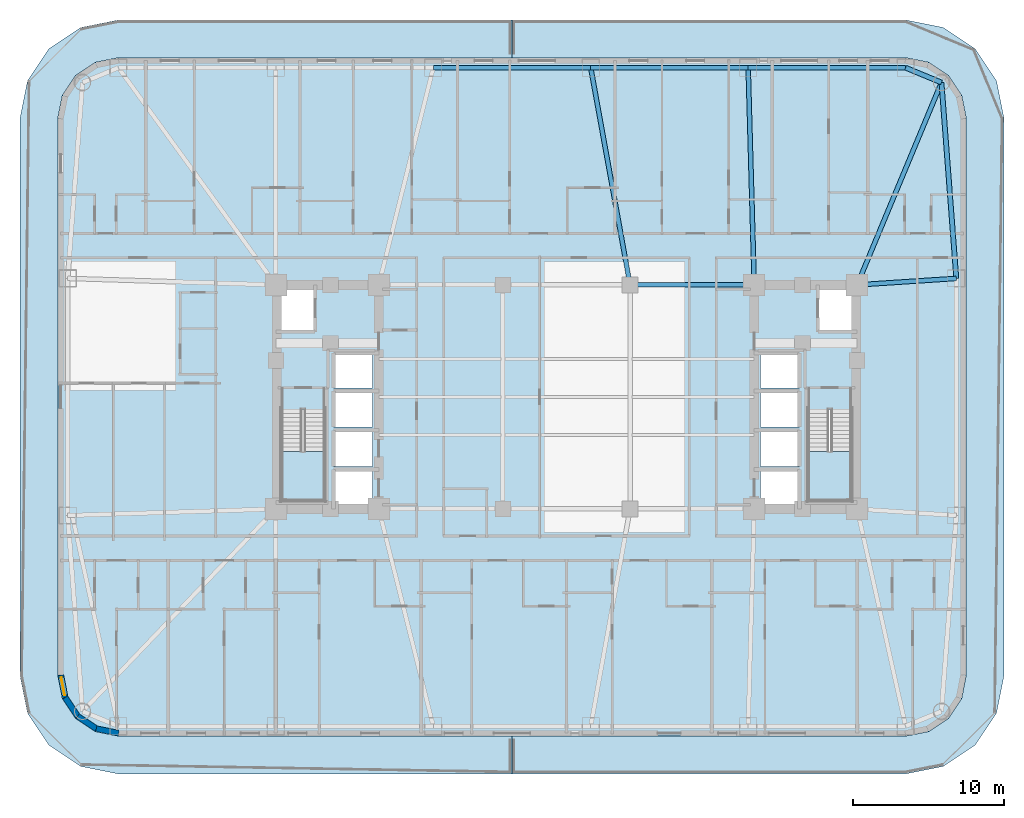
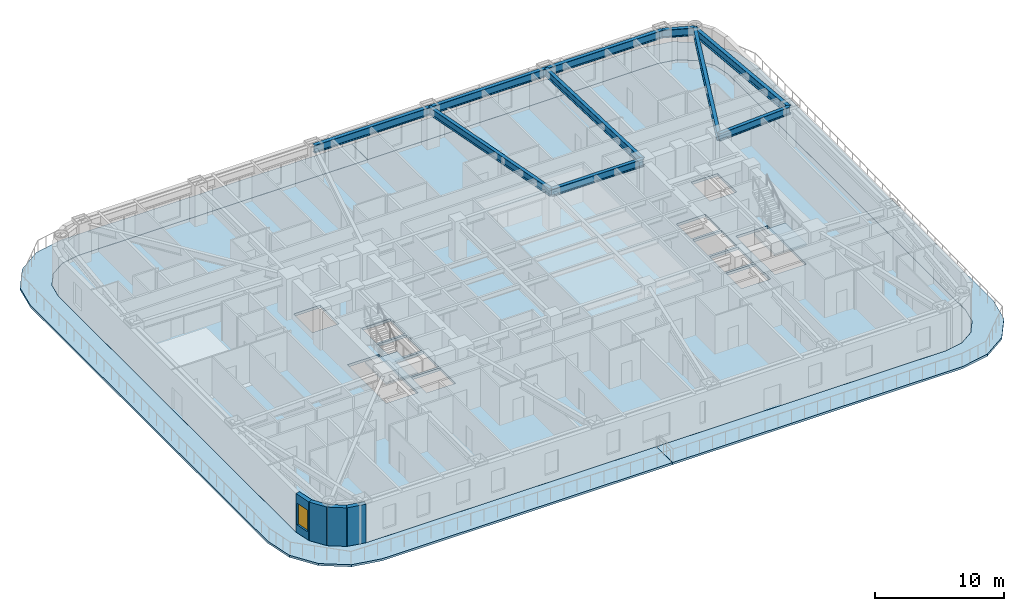
# One storey, part 2 of 14: 10 beams, 5 slabs, 4 walls, 1 window, 1 opening, 2 elements without a shape of their own.
"""IFC4 building model written with IfcOpenShell, lengths in metres."""

from ifc_helpers import new_model, si_unit, direction, frame, frame_2d, origin, origin_2d, place, context, subcontext, project, spatial, polyline, rectangle, i_section, outline, extrude, material, layer, layer_set, material_profile, profile_set, type_object, element, fill, aggregate, save


model = new_model("IFC4")

# Units and contexts
model_context = context("Model", 3, precision=1e-05, world=origin(), true_north=direction((0.0, 1.0)))
body_context = subcontext(model_context, "Body", "Model", "MODEL_VIEW")
ifc_project = project(units=[si_unit("LENGTHUNIT", "METRE"), si_unit("AREAUNIT", "SQUARE_METRE"), si_unit("VOLUMEUNIT", "CUBIC_METRE"), si_unit("PLANEANGLEUNIT", "RADIAN"), si_unit("MASSUNIT", "GRAM", prefix="KILO")], contexts=[model_context])

# Site, building, storey
site_placement = place(None, origin())
site = spatial("IfcSite", under=ifc_project, at=site_placement, CompositionType="ELEMENT")
building_placement = place(site_placement, origin())
building = spatial("IfcBuilding", under=site, at=building_placement, Name="Voryun Gate Residences", CompositionType="ELEMENT")
storey_placement = place(building_placement, frame((0.0, 0.0, 53.300048828125)))
storey = spatial("IfcBuildingStorey", under=building, at=storey_placement, Name="L12", CompositionType="ELEMENT", Elevation=53.300048828125)

# Beams
ifc_material_1 = material(Name="Steel SM355", Category="steel")
ifc_material_profile_1 = material_profile(ifc_material_1, i_section(OverallWidth=0.320068359375, OverallDepth=0.75, WebThickness=0.01611328125, FlangeThickness=0.028076171875, FilletRadius=0.01806640625, at=origin_2d()), Name="H-750x320x16x28")
ifc_profile_set_1 = profile_set([ifc_material_profile_1], Name="Steel SM355")
beam_type_1 = type_object("IfcBeamType", Name="BM_EXO_SPANDREL_L", PredefinedType="SPANDREL", material=ifc_profile_set_1)
beam_1_placement = place(storey_placement, frame((25.75, 7.830078125, 3.27490234375), z_axis=(-0.075617360159, 0.997136908776, 0.0), x_axis=(-0.997136908776, -0.075617360159, 0.0)))
element("IfcBeam", 1, at=beam_1_placement, inside=storey, type_object=beam_type_1, Name="BM-L12-SPAND-09", PredefinedType="SPANDREL", context=body_context, shape_type="SweptSolid", body=[
    extrude(i_section(OverallWidth=0.320068359375, OverallDepth=0.75, WebThickness=0.01611328125, FlangeThickness=0.028076171875, FilletRadius=0.01806640625, at=origin_2d()), origin(), (0.0, 0.0, 1.0), 12.975830078125),
])
beam_2_placement = place(storey_placement, frame((24.768798828125, 20.768798828125, 3.27490234375), z_axis=(-0.923883376753, 0.382674151414, 0.0), x_axis=(-0.382674151414, -0.923883376753, 0.0)))
element("IfcBeam", 2, at=beam_2_placement, inside=storey, type_object=beam_type_1, Name="BM-L12-SPAND-10", PredefinedType="SPANDREL", context=body_context, shape_type="SweptSolid", body=[
    extrude(i_section(OverallWidth=0.320068359375, OverallDepth=0.75, WebThickness=0.01611328125, FlangeThickness=0.028076171875, FilletRadius=0.01806640625, at=origin_2d()), origin(), (0.0, 0.0, 1.0), 2.56396484375),
])
for number, where, z_axis, x_axis, name in (
    (3, (22.39990234375, 21.75, 3.27490234375), (-1.0, 0.0, 0.0), (0.0, -1.0, 0.0), "BM-L12-SPAND-11"),
    (4, (12.0, 21.75, 3.27490234375), (-1.0, 0.0, 0.0), (0.0, -1.0, 0.0), "BM-L12-SPAND-12"),
):
    element("IfcBeam", number, at=place(storey_placement, frame(where, z_axis=z_axis, x_axis=x_axis)), inside=storey, type_object=beam_type_1, Name=name, PredefinedType="SPANDREL", context=body_context, shape_type="SweptSolid", body=[
        extrude(i_section(OverallWidth=0.320068359375, OverallDepth=0.75, WebThickness=0.01611328125, FlangeThickness=0.028076171875, FilletRadius=0.01806640625, at=origin_2d()), origin(), (0.0, 0.0, 1.0), 10.39990234375),
    ])
beam_3_placement = place(storey_placement, frame((1.60009765625, 21.75, 3.27490234375), z_axis=(-1.0, 0.0, 0.0), x_axis=(0.0, -1.0, 0.0)))
element("IfcBeam", 5, at=beam_3_placement, inside=storey, type_object=beam_type_1, Name="BM-L12-SPAND-13", PredefinedType="SPANDREL", context=body_context, shape_type="SweptSolid", body=[
    extrude(i_section(OverallWidth=0.320068359375, OverallDepth=0.75, WebThickness=0.01611328125, FlangeThickness=0.028076171875, FilletRadius=0.01806640625, at=origin_2d()), origin(), (0.0, 0.0, 1.0), 10.400146484375),
])
ifc_material_2 = material(Name="Steel SM355", Category="steel")
ifc_material_profile_2 = material_profile(ifc_material_2, i_section(OverallWidth=0.300048828125, OverallDepth=0.699951171875, WebThickness=0.012939453125, FlangeThickness=0.02392578125, FilletRadius=0.01806640625, at=origin_2d()), Name="H-700x300x13x24")
ifc_profile_set_2 = profile_set([ifc_material_profile_2], Name="Steel SM355")
beam_type_2 = type_object("IfcBeamType", Name="BM_GIRD_700", PredefinedType="USERDEFINED", material=ifc_profile_set_2)
beam_4_placement = place(storey_placement, frame((4.199951171875, 7.39990234375, 3.300048828125), z_axis=(1.0, 0.0, 0.0), x_axis=(0.0, 1.0, 0.0)))
element("IfcBeam", 6, at=beam_4_placement, inside=storey, type_object=beam_type_2, Name="BM-L12-SPG3-N", ObjectType="GIRDER", PredefinedType="USERDEFINED", context=body_context, shape_type="SweptSolid", body=[
    extrude(i_section(OverallWidth=0.300048828125, OverallDepth=0.699951171875, WebThickness=0.012939453125, FlangeThickness=0.02392578125, FilletRadius=0.01806640625, at=origin_2d()), origin(), (0.0, 0.0, 1.0), 8.199951171875),
])
beam_5_placement = place(storey_placement, frame((19.199951171875, 7.39990234375, 3.300048828125), z_axis=(0.997850335415, 0.06553402255, 0.0), x_axis=(-0.06553402255, 0.997850335415, 0.0)))
element("IfcBeam", 7, at=beam_5_placement, inside=storey, type_object=beam_type_2, Name="BM-L12-RAD-E2", ObjectType="GIRDER", PredefinedType="USERDEFINED", context=body_context, shape_type="SweptSolid", body=[
    extrude(i_section(OverallWidth=0.300048828125, OverallDepth=0.699951171875, WebThickness=0.012939453125, FlangeThickness=0.02392578125, FilletRadius=0.01806640625, at=origin_2d()), origin(), (0.0, 0.0, 1.0), 6.564208984375),
])
beam_6_placement = place(storey_placement, frame((19.199951171875, 7.39990234375, 3.300048828125), z_axis=(0.384525607719, 0.923114324993, 0.0), x_axis=(-0.923114324993, 0.384525607719, 0.0)))
element("IfcBeam", 8, at=beam_6_placement, inside=storey, type_object=beam_type_2, Name="BM-L12-RAD-CNE", ObjectType="GIRDER", PredefinedType="USERDEFINED", context=body_context, shape_type="SweptSolid", body=[
    extrude(i_section(OverallWidth=0.300048828125, OverallDepth=0.699951171875, WebThickness=0.012939453125, FlangeThickness=0.02392578125, FilletRadius=0.01806640625, at=origin_2d()), origin(), (0.0, 0.0, 1.0), 14.482421875),
])
beam_7_placement = place(storey_placement, frame((12.39990234375, 7.39990234375, 3.300048828125), z_axis=(-0.0278567548, 0.999611925305, 0.0), x_axis=(-0.999611925305, -0.0278567548, 0.0)))
element("IfcBeam", 9, at=beam_7_placement, inside=storey, type_object=beam_type_2, Name="BM-L12-RAD-N2", ObjectType="GIRDER", PredefinedType="USERDEFINED", context=body_context, shape_type="SweptSolid", body=[
    extrude(i_section(OverallWidth=0.300048828125, OverallDepth=0.699951171875, WebThickness=0.012939453125, FlangeThickness=0.02392578125, FilletRadius=0.01806640625, at=origin_2d()), origin(), (0.0, 0.0, 1.0), 14.355712890625),
])
beam_8_placement = place(storey_placement, frame((4.199951171875, 7.39990234375, 3.300048828125), z_axis=(-0.178271088758, 0.983981411874, 0.0), x_axis=(-0.983981411874, -0.178271088758, 0.0)))
element("IfcBeam", 10, at=beam_8_placement, inside=storey, type_object=beam_type_2, Name="BM-L12-RAD-N3", ObjectType="GIRDER", PredefinedType="USERDEFINED", context=body_context, shape_type="SweptSolid", body=[
    extrude(i_section(OverallWidth=0.300048828125, OverallDepth=0.699951171875, WebThickness=0.012939453125, FlangeThickness=0.02392578125, FilletRadius=0.01806640625, at=origin_2d()), origin(), (0.0, 0.0, 1.0), 14.583740234375),
])

# Slabs
ifc_material_3 = material(Name="Concrete C40/50", Category="concrete")
ifc_layer_1 = layer(ifc_material_3, 0.199951171875, Name="SLB_BALCONY_200")
ifc_layer_set_1 = layer_set([ifc_layer_1], Name="Concrete C40/50")
slab_type_1 = type_object("IfcSlabType", Name="SLB_BALCONY_200", PredefinedType="FLOOR", material=ifc_layer_set_1)
slab_1_placement = place(storey_placement, frame((0.0, 0.0, -0.199951171875)))
element("IfcSlab", 11, at=slab_1_placement, inside=storey, type_object=slab_type_1, Name="L12 External Residential Balcony WEST", PredefinedType="FLOOR", context=body_context, shape_type="SweptSolid", body=[
    extrude(outline(polyline([(-32.08740234375, -24.4052734375), (-34.1962890625, -22.99609375), (-35.605224609375, -20.887451171875), (-36.10009765625, -18.39990234375), (-36.10009765625, 18.39990234375), (-35.605224609375, 20.887451171875), (-34.1962890625, 22.99609375), (-32.08740234375, 24.4052734375), (-29.60009765625, 24.89990234375), (-3.610107421875, 24.89990234375), (-3.610107421875, 22.402099609375), (-29.60009765625, 22.402099609375), (-29.60009765625, 22.402099609375), (-29.600341796875, 22.40185546875), (-31.131103515625, 22.097412109375), (-31.13134765625, 22.097412109375), (-31.131591796875, 22.097412109375), (-31.131591796875, 22.09716796875), (-31.1318359375, 22.09716796875), (-32.429443359375, 21.22998046875), (-32.4296875, 21.22998046875), (-32.429931640625, 21.229736328125), (-32.429931640625, 21.229736328125), (-32.43017578125, 21.2294921875), (-33.297119140625, 19.931884765625), (-33.29736328125, 19.931640625), (-33.29736328125, 19.931396484375), (-33.29736328125, 19.931396484375), (-33.29736328125, 19.93115234375), (-33.60205078125, 18.400390625), (-33.60205078125, 18.400146484375), (-33.60205078125, 18.39990234375), (-33.60205078125, -18.39990234375), (-33.60205078125, -18.400146484375), (-33.60205078125, -18.400390625), (-33.29736328125, -19.93115234375), (-33.29736328125, -19.931396484375), (-33.29736328125, -19.931396484375), (-33.29736328125, -19.931640625), (-33.297119140625, -19.931884765625), (-32.43017578125, -21.2294921875), (-32.429931640625, -21.229736328125), (-32.429931640625, -21.229736328125), (-32.4296875, -21.22998046875), (-32.429443359375, -21.22998046875), (-31.1318359375, -22.09716796875), (-31.131591796875, -22.09716796875), (-31.131591796875, -22.097412109375), (-31.13134765625, -22.097412109375), (-31.131103515625, -22.097412109375), (-29.600341796875, -22.40185546875), (-29.60009765625, -22.402099609375), (-29.60009765625, -22.402099609375), (-3.610107421875, -22.402099609375), (-3.610107421875, -24.89990234375), (-29.60009765625, -24.89990234375), (-32.08740234375, -24.4052734375)])), origin(), (0.0, 0.0, 1.0), 0.199951171875),
])
slab_2_placement = place(storey_placement, frame((0.0, 0.0, -0.199951171875)))
element("IfcSlab", 12, at=slab_2_placement, inside=storey, type_object=slab_type_1, Name="L12 External Residential Balcony EAST", PredefinedType="FLOOR", context=body_context, shape_type="SweptSolid", body=[
    extrude(outline(polyline([(22.39990234375, 24.89990234375), (24.887451171875, 24.4052734375), (26.99609375, 22.99609375), (28.4052734375, 20.887451171875), (28.89990234375, 18.39990234375), (28.89990234375, -18.39990234375), (28.4052734375, -20.887451171875), (26.99609375, -22.99609375), (24.887451171875, -24.4052734375), (22.39990234375, -24.89990234375), (-3.590087890625, -24.89990234375), (-3.590087890625, -22.402099609375), (22.39990234375, -22.402099609375), (22.400146484375, -22.402099609375), (22.400390625, -22.40185546875), (23.93115234375, -22.097412109375), (23.931396484375, -22.097412109375), (23.931396484375, -22.097412109375), (23.931640625, -22.09716796875), (23.931884765625, -22.09716796875), (25.2294921875, -21.22998046875), (25.229736328125, -21.22998046875), (25.229736328125, -21.229736328125), (25.22998046875, -21.229736328125), (25.22998046875, -21.2294921875), (26.09716796875, -19.931884765625), (26.09716796875, -19.931640625), (26.097412109375, -19.931396484375), (26.097412109375, -19.931396484375), (26.097412109375, -19.93115234375), (26.40185546875, -18.400390625), (26.402099609375, -18.400146484375), (26.402099609375, -18.39990234375), (26.402099609375, 18.39990234375), (26.402099609375, 18.400146484375), (26.40185546875, 18.400390625), (26.097412109375, 19.93115234375), (26.097412109375, 19.931396484375), (26.097412109375, 19.931396484375), (26.09716796875, 19.931640625), (26.09716796875, 19.931884765625), (25.22998046875, 21.2294921875), (25.22998046875, 21.229736328125), (25.229736328125, 21.229736328125), (25.229736328125, 21.22998046875), (25.2294921875, 21.22998046875), (23.931884765625, 22.09716796875), (23.931640625, 22.09716796875), (23.931396484375, 22.097412109375), (23.931396484375, 22.097412109375), (23.93115234375, 22.097412109375), (22.400390625, 22.40185546875), (22.400146484375, 22.402099609375), (22.39990234375, 22.402099609375), (-3.590087890625, 22.402099609375), (-3.590087890625, 24.89990234375), (22.39990234375, 24.89990234375)])), origin(), (0.0, 0.0, 1.0), 0.199951171875),
])
ifc_material_4 = material(Name="Concrete C40/50", Category="concrete")
ifc_layer_2 = layer(ifc_material_4, 0.25, Name="SLB_RES_250")
ifc_layer_set_2 = layer_set([ifc_layer_2], Name="Concrete C40/50")
slab_type_2 = type_object("IfcSlabType", Name="SLB_RES_250", PredefinedType="FLOOR", material=ifc_layer_set_2)
slab_3_placement = place(storey_placement, frame((0.0, 0.0, -0.25)))
element("IfcSlab", 13, at=slab_3_placement, inside=storey, type_object=slab_type_2, Name="L12 Structural Floor Slab", PredefinedType="FLOOR", context=body_context, shape_type="SweptSolid", body=[
    extrude(outline(polyline([(-29.60009765625, -22.39990234375), (-31.130615234375, -22.095458984375), (-32.428466796875, -21.228515625), (-33.29541015625, -19.9306640625), (-33.60009765625, -18.39990234375), (-33.60009765625, 18.39990234375), (-33.29541015625, 19.9306640625), (-32.428466796875, 21.228515625), (-31.130615234375, 22.095458984375), (-29.60009765625, 22.39990234375), (22.39990234375, 22.39990234375), (23.9306640625, 22.095458984375), (25.228515625, 21.228515625), (26.095458984375, 19.9306640625), (26.39990234375, 18.39990234375), (26.39990234375, -18.39990234375), (26.095458984375, -19.9306640625), (25.228515625, -21.228515625), (23.9306640625, -22.095458984375), (22.39990234375, -22.39990234375), (-29.60009765625, -22.39990234375)]), holes=[polyline([(-12.800048828125, -4.800048828125), (-15.39990234375, -4.800048828125), (-15.39990234375, -7.199951171875), (-12.800048828125, -7.199951171875), (-12.800048828125, -4.800048828125)]), polyline([(-18.824951171875, -6.85009765625), (-15.97509765625, -6.85009765625), (-15.97509765625, -0.840087890625), (-18.824951171875, -0.840087890625), (-18.824951171875, -6.85009765625)]), polyline([(-12.800048828125, -4.60009765625), (-12.800048828125, -2.199951171875), (-15.39990234375, -2.199951171875), (-15.39990234375, -4.60009765625), (-12.800048828125, -4.60009765625)]), polyline([(-12.800048828125, 0.39990234375), (-15.39990234375, 0.39990234375), (-15.39990234375, -2.0), (-12.800048828125, -2.0), (-12.800048828125, 0.39990234375)]), polyline([(-12.800048828125, 0.60009765625), (-12.800048828125, 2.89990234375), (-15.39990234375, 2.89990234375), (-15.39990234375, 0.60009765625), (-12.800048828125, 0.60009765625)]), polyline([(-16.60009765625, 4.300048828125), (-16.60009765625, 7.199951171875), (-19.0, 7.199951171875), (-19.0, 4.300048828125), (-16.60009765625, 4.300048828125)]), polyline([(15.39990234375, -4.800048828125), (12.800048828125, -4.800048828125), (12.800048828125, -7.199951171875), (15.39990234375, -7.199951171875), (15.39990234375, -4.800048828125)]), polyline([(15.97509765625, -6.85009765625), (18.824951171875, -6.85009765625), (18.824951171875, -0.840087890625), (15.97509765625, -0.840087890625), (15.97509765625, -6.85009765625)]), polyline([(15.39990234375, -4.60009765625), (15.39990234375, -2.199951171875), (12.800048828125, -2.199951171875), (12.800048828125, -4.60009765625), (15.39990234375, -4.60009765625)]), polyline([(15.39990234375, 0.39990234375), (12.800048828125, 0.39990234375), (12.800048828125, -2.0), (15.39990234375, -2.0), (15.39990234375, 0.39990234375)]), polyline([(15.39990234375, 0.60009765625), (15.39990234375, 2.89990234375), (12.800048828125, 2.89990234375), (12.800048828125, 0.60009765625), (15.39990234375, 0.60009765625)]), polyline([(19.0, 4.300048828125), (19.0, 7.199951171875), (16.60009765625, 7.199951171875), (16.60009765625, 4.300048828125), (19.0, 4.300048828125)])]), origin(), (0.0, 0.0, 1.0), 0.25),
])

# Stair, slab
ifc_material_5 = material(Name="Concrete C40/50", Category="concrete")
stair_type = type_object("IfcStairType", Name="STR_CORE_DOGLEG_1350", PredefinedType="HALF_TURN_STAIR", material=ifc_material_5)
stair_1_placement = place(storey_placement, origin())
stair_1 = element("IfcStair", 14, at=stair_1_placement, inside=storey, type_object=stair_type, Name="L12 Special Escape Stair ST-W1", PredefinedType="HALF_TURN_STAIR")
ifc_material_6 = material(Name="Concrete C40/50", Category="concrete")
ifc_layer_3 = layer(ifc_material_6, 0.199951171875, Name="SLB_STAIR_LANDING_200")
ifc_layer_set_3 = layer_set([ifc_layer_3], Name="Concrete C40/50")
slab_type_3 = type_object("IfcSlabType", Name="SLB_STAIR_LANDING_200", PredefinedType="LANDING", material=ifc_layer_set_3)
slab_4_placement = place(storey_placement, frame((0.0, 0.0, 1.75)))
slab_4 = element("IfcSlab", 15, at=slab_4_placement, type_object=slab_type_3, Name="ST-W1 landing 1", PredefinedType="LANDING", context=body_context, shape_type="SweptSolid", body=[
    extrude(outline(polyline([(-18.824951171875, -3.60009765625), (-18.824951171875, -6.85009765625), (-15.97509765625, -6.85009765625), (-15.97509765625, -3.60009765625), (-18.824951171875, -3.60009765625)])), origin(), (0.0, 0.0, 1.0), 0.199951171875),
])
aggregate(stair_1, [slab_4])

stair_2_placement = place(storey_placement, origin())
stair_2 = element("IfcStair", 16, at=stair_2_placement, inside=storey, type_object=stair_type, Name="L12 Special Escape Stair ST-E1", PredefinedType="HALF_TURN_STAIR")
slab_5_placement = place(storey_placement, frame((0.0, 0.0, 1.75)))
slab_5 = element("IfcSlab", 17, at=slab_5_placement, type_object=slab_type_3, Name="ST-E1 landing 1", PredefinedType="LANDING", context=body_context, shape_type="SweptSolid", body=[
    extrude(outline(polyline([(15.97509765625, -3.60009765625), (15.97509765625, -6.85009765625), (18.824951171875, -6.85009765625), (18.824951171875, -3.60009765625), (15.97509765625, -3.60009765625)])), origin(), (0.0, 0.0, 1.0), 0.199951171875),
])
aggregate(stair_2, [slab_5])

# Walls
ifc_material_7 = material(Name="Granite masonry", Category="masonry")
ifc_layer_4 = layer(ifc_material_7, 0.3798828125, Name="W_EXT_GRANITE_380")
ifc_layer_set_4 = layer_set([ifc_layer_4], Name="Granite masonry")
wall_type = type_object("IfcWallType", Name="W_EXT_GRANITE_380", PredefinedType="ELEMENTEDWALL", material=ifc_layer_set_4)
wall_1_placement = place(storey_placement, frame((-29.581298828125, -22.2099609375, 0.0), z_axis=(0.0, 0.0, 1.0), x_axis=(-0.980786132421, 0.195086038585, 0.0)))
element("IfcWall", 18, at=wall_1_placement, inside=storey, type_object=wall_type, Name="Exterior wall WEXT-L12-02", PredefinedType="ELEMENTEDWALL", context=body_context, shape_type="SweptSolid", body=[
    extrude(rectangle(XDim=1.504150390625, YDim=0.3798828125, at=frame_2d((0.751953125, 0.0))), origin(), (0.0, 0.0, 1.0), 3.64990234375),
])
wall_2_placement = place(storey_placement, frame((-31.056640625, -21.91650390625, 0.0), z_axis=(0.0, 0.0, 1.0), x_axis=(-0.831442848281, 0.555610286119, 0.0)))
element("IfcWall", 19, at=wall_2_placement, inside=storey, type_object=wall_type, Name="Exterior wall WEXT-L12-03", PredefinedType="ELEMENTEDWALL", context=body_context, shape_type="SweptSolid", body=[
    extrude(rectangle(XDim=1.485107421875, YDim=0.3798828125, at=frame_2d((0.74267578125, 0.0))), origin(), (0.0, 0.0, 1.0), 3.64990234375),
])
wall_3_placement = place(storey_placement, frame((-32.29150390625, -21.09130859375, 0.0), z_axis=(0.0, 0.0, 1.0), x_axis=(-0.555572577804, 0.831468045563, 0.0)))
element("IfcWall", 20, at=wall_3_placement, inside=storey, type_object=wall_type, Name="Exterior wall WEXT-L12-04", PredefinedType="ELEMENTEDWALL", context=body_context, shape_type="SweptSolid", body=[
    extrude(rectangle(XDim=1.48486328125, YDim=0.3798828125, at=frame_2d((0.742431640625, 0.0))), origin(), (0.0, 0.0, 1.0), 3.64990234375),
])

# Wall, opening, window
wall_4_placement = place(storey_placement, frame((-33.116455078125, -19.856689453125, 0.0), z_axis=(0.0, 0.0, 1.0), x_axis=(-0.195086038585, 0.980786132421, 0.0)))
wall_4 = element("IfcWall", 21, at=wall_4_placement, inside=storey, type_object=wall_type, Name="Exterior wall WEXT-L12-05", PredefinedType="ELEMENTEDWALL", context=body_context, shape_type="SweptSolid", body=[
    extrude(rectangle(XDim=1.504150390625, YDim=0.3798828125, at=frame_2d((0.751953125, 0.0))), origin(), (0.0, 0.0, 1.0), 3.64990234375),
])
opening_placement = place(wall_4_placement, frame((0.152099609375, 0.0, 0.75)))
opening = element("IfcOpeningElement", 22, at=opening_placement, cuts=wall_4, Name="Opening WN6", PredefinedType="OPENING", context=body_context, shape_type="SweptSolid", body=[
    extrude(rectangle(XDim=1.199951171875, YDim=2.050048828125, at=frame_2d((0.60009765625, 1.02490234375))), frame((0.0, 0.199951171875, 0.0), z_axis=(0.0, -1.0, 0.0), x_axis=(1.0, 0.0, 0.0)), (0.0, 0.0, 1.0), 0.39990234375),
])
ifc_material_8 = material(Name="Laminated low-E glass", Category="glass")
window_type = type_object("IfcWindowType", Name="WN_POD_SLOT_1200", PartitioningType="SINGLE_PANEL", PredefinedType="WINDOW", material=ifc_material_8)
window_placement = place(opening_placement, origin())
window = element("IfcWindow", 23, at=window_placement, inside=storey, type_object=window_type, Name="Window WN-L12-DWFIX-12", OverallHeight=2.050048828125, OverallWidth=1.199951171875, PartitioningType="SINGLE_PANEL", PredefinedType="WINDOW", context=body_context, shape_type="SweptSolid", body=[
    extrude(rectangle(XDim=1.199951171875, YDim=2.050048828125, at=frame_2d((0.60009765625, 1.02490234375))), frame((0.0, 0.030029296875, 0.0), z_axis=(0.0, -1.0, 0.0), x_axis=(1.0, 0.0, 0.0)), (0.0, 0.0, 1.0), 0.06005859375),
])
fill(opening, window)

save(model, "model.ifc")
